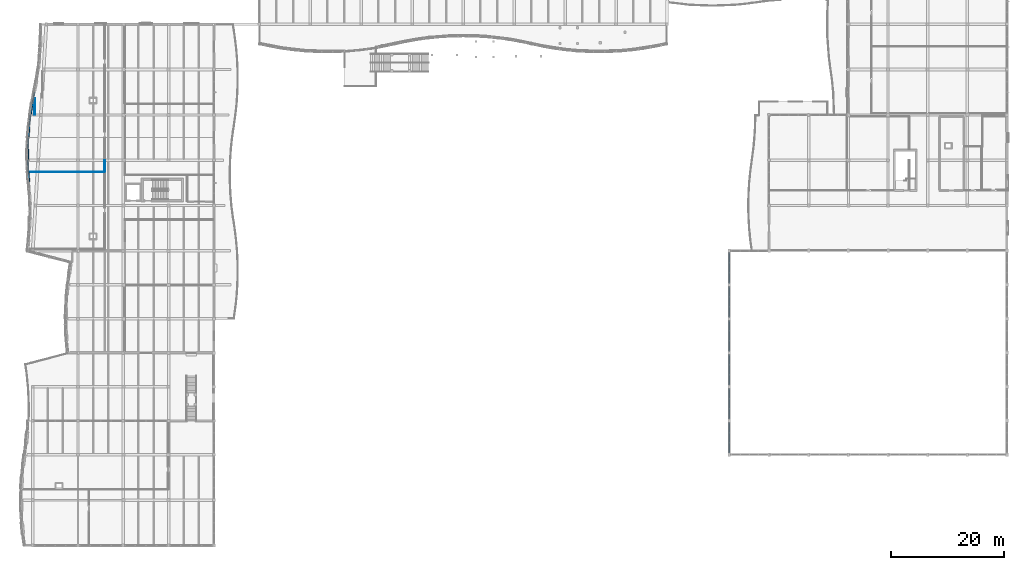
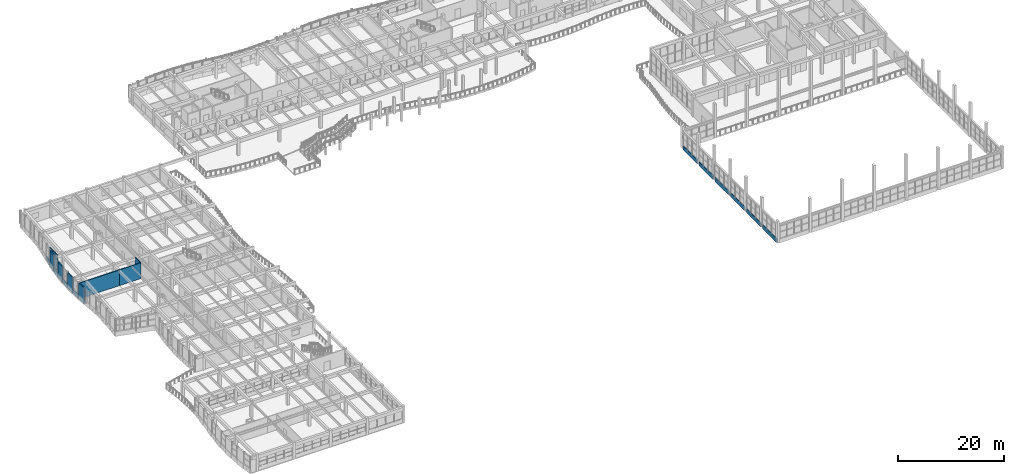
# One storey, part 58 of 89: 18 walls.
"""IFC4 building model written with IfcOpenShell, lengths in metres."""

from ifc_helpers import new_model, si_unit, direction, frame, frame_2d, origin, place, context, subcontext, project, spatial, rectangle, extrude, material, layer, layer_set, type_object, element, save


model = new_model("IFC4")

# Units and contexts
model_context = context("Model", 3, precision=1e-05, world=origin(), true_north=direction((0.0, 1.0)))
body_context = subcontext(model_context, "Body", "Model", "MODEL_VIEW")
ifc_project = project(units=[si_unit("LENGTHUNIT", "METRE"), si_unit("AREAUNIT", "SQUARE_METRE"), si_unit("VOLUMEUNIT", "CUBIC_METRE"), si_unit("PLANEANGLEUNIT", "RADIAN"), si_unit("MASSUNIT", "GRAM", prefix="KILO")], contexts=[model_context])

# Site, building, storey
site_placement = place(None, origin())
site = spatial("IfcSite", under=ifc_project, at=site_placement, CompositionType="ELEMENT")
building_placement = place(site_placement, origin())
building = spatial("IfcBuilding", under=site, at=building_placement, Name="Tonlespit Floodbar School", CompositionType="ELEMENT")
storey_placement = place(building_placement, frame((0.0, 0.0, 4.5)))
storey = spatial("IfcBuildingStorey", under=building, at=storey_placement, Name="L01", CompositionType="ELEMENT", Elevation=4.5)

# Walls
ifc_material_1 = material(Name="Precast concrete C40/50", Category="concrete")
ifc_layer_1 = layer(ifc_material_1, 0.260009765625)
ifc_layer_set_1 = layer_set([ifc_layer_1], Name="Precast concrete C40/50")
wall_type_1 = type_object("IfcWallType", Name="ExtWall_Rainscreen_260", PredefinedType="SOLIDWALL", material=ifc_layer_set_1)
wall_1_placement = place(storey_placement, frame((3.3701171875, 68.0, 0.0), z_axis=(0.0, 0.0, 1.0), x_axis=(-0.075709813676, 0.9971298933, 0.0)))
element("IfcWall", 1, at=wall_1_placement, inside=storey, type_object=wall_type_1, Name="L01 external wall 0350", PredefinedType="SOLIDWALL", context=body_context, shape_type="SweptSolid", body=[
    extrude(rectangle(XDim=2.005859375, YDim=0.260009765625, at=frame_2d((1.0029296875, 0.0))), origin(), (0.0, 0.0, 1.0), 3.64990234375),
])
wall_2_placement = place(storey_placement, frame((3.14501953125, 72.0, 0.0), z_axis=(0.0, 0.0, 1.0), x_axis=(0.002197260321, 0.999997586021, 0.0)))
element("IfcWall", 2, at=wall_2_placement, inside=storey, type_object=wall_type_1, Name="L01 external wall 0352", PredefinedType="SOLIDWALL", context=body_context, shape_type="SweptSolid", body=[
    extrude(rectangle(XDim=2.0, YDim=0.260009765625, at=frame_2d((1.0, 0.0))), origin(), (0.0, 0.0, 1.0), 3.64990234375),
])
wall_3_placement = place(storey_placement, frame((3.23095703125, 76.0, 0.0), z_axis=(0.0, 0.0, 1.0), x_axis=(0.078976178075, 0.996876503533, 0.0)))
element("IfcWall", 3, at=wall_3_placement, inside=storey, type_object=wall_type_1, Name="L01 external wall 0354", PredefinedType="SOLIDWALL", context=body_context, shape_type="SweptSolid", body=[
    extrude(rectangle(XDim=2.00634765625, YDim=0.260009765625, at=frame_2d((1.003173828125, 0.0))), origin(), (0.0, 0.0, 1.0), 3.64990234375),
])
wall_4_placement = place(storey_placement, frame((3.625, 80.0, 0.0), z_axis=(0.0, 0.0, 1.0), x_axis=(0.15473004848, 0.987956786554, 0.0)))
element("IfcWall", 4, at=wall_4_placement, inside=storey, type_object=wall_type_1, Name="L01 external wall 0356", PredefinedType="SOLIDWALL", context=body_context, shape_type="SweptSolid", body=[
    extrude(rectangle(XDim=2.0244140625, YDim=0.260009765625, at=frame_2d((1.01220703125, 0.0))), origin(), (0.0, 0.0, 1.0), 3.64990234375),
])
ifc_material_2 = material(Name="White Architectural Precast concrete C40/50", Category="concrete")
ifc_layer_2 = layer(ifc_material_2, 0.18505859375)
ifc_layer_set_2 = layer_set([ifc_layer_2], Name="White Architectural Precast concrete C40/50")
wall_type_2 = type_object("IfcWallType", Name="ExtWall_Spandrel_White_185", PredefinedType="SOLIDWALL", material=ifc_layer_set_2)
for number, where, z_axis, x_axis, name in (
    (5, (127.0, 20.324951171875, -0.260009765625), (0.0, 0.0, 1.0), (0.0, 1.0, 0.0), "L01 spandrel wall 0469"),
    (6, (127.0, 26.324951171875, -0.260009765625), (0.0, 0.0, 1.0), (0.0, 1.0, 0.0), "L01 spandrel wall 0471"),
    (7, (127.0, 32.324951171875, -0.260009765625), (0.0, 0.0, 1.0), (0.0, 1.0, 0.0), "L01 spandrel wall 0473"),
    (8, (127.0, 38.324951171875, -0.260009765625), (0.0, 0.0, 1.0), (0.0, 1.0, 0.0), "L01 spandrel wall 0475"),
    (9, (127.0, 44.324951171875, -0.260009765625), (0.0, 0.0, 1.0), (0.0, 1.0, 0.0), "L01 spandrel wall 0477"),
    (10, (127.0, 50.324951171875, -0.260009765625), (0.0, 0.0, 1.0), (0.0, 1.0, 0.0), "L01 spandrel wall 0479"),
):
    element("IfcWall", number, at=place(storey_placement, frame(where, z_axis=z_axis, x_axis=x_axis)), inside=storey, type_object=wall_type_2, Name=name, PredefinedType="SOLIDWALL", context=body_context, shape_type="SweptSolid", body=[
        extrude(rectangle(XDim=5.35009765625, YDim=0.18505859375, at=frame_2d((2.675048828125, 0.0))), origin(), (0.0, 0.0, 1.0), 0.949951171875),
    ])
ifc_layer_3 = layer(ifc_material_2, 0.199951171875)
ifc_layer_set_3 = layer_set([ifc_layer_3], Name="White Architectural Precast concrete C40/50")
wall_type_3 = type_object("IfcWallType", Name="ExtWall_Spandrel_White_200", PredefinedType="SOLIDWALL", material=ifc_layer_set_3)
wall_5_placement = place(storey_placement, frame((3.21826171875, 70.0, 0.0), z_axis=(0.0, 0.0, 1.0), x_axis=(-0.036596562065, 0.999330121454, 0.0)))
element("IfcWall", 11, at=wall_5_placement, inside=storey, type_object=wall_type_3, Name="L01 spandrel wall 0351", PredefinedType="SOLIDWALL", context=body_context, shape_type="SweptSolid", body=[
    extrude(rectangle(XDim=2.001220703125, YDim=0.199951171875, at=frame_2d((1.00048828125, 0.0))), origin(), (0.0, 0.0, 1.0), 0.949951171875),
])
wall_6_placement = place(storey_placement, frame((3.1494140625, 74.0, 0.0), z_axis=(0.0, 0.0, 1.0), x_axis=(0.040737639062, 0.99916987783, 0.0)))
element("IfcWall", 12, at=wall_6_placement, inside=storey, type_object=wall_type_3, Name="L01 spandrel wall 0353", PredefinedType="SOLIDWALL", context=body_context, shape_type="SweptSolid", body=[
    extrude(rectangle(XDim=2.001708984375, YDim=0.199951171875, at=frame_2d((1.0009765625, 0.0))), origin(), (0.0, 0.0, 1.0), 0.949951171875),
])
wall_7_placement = place(storey_placement, frame((3.389404296875, 78.0, 0.0), z_axis=(0.0, 0.0, 1.0), x_axis=(0.116988959085, 0.99313321536, 0.0)))
element("IfcWall", 13, at=wall_7_placement, inside=storey, type_object=wall_type_3, Name="L01 spandrel wall 0355", PredefinedType="SOLIDWALL", context=body_context, shape_type="SweptSolid", body=[
    extrude(rectangle(XDim=2.013916015625, YDim=0.199951171875, at=frame_2d((1.0068359375, 0.0))), origin(), (0.0, 0.0, 1.0), 0.949951171875),
])
wall_8_placement = place(storey_placement, frame((3.938232421875, 82.0, 0.0), z_axis=(0.0, 0.0, 1.0), x_axis=(0.192267434085, 0.981342566992, 0.0)))
element("IfcWall", 14, at=wall_8_placement, inside=storey, type_object=wall_type_3, Name="L01 spandrel wall 0357", PredefinedType="SOLIDWALL", context=body_context, shape_type="SweptSolid", body=[
    extrude(rectangle(XDim=2.0380859375, YDim=0.199951171875, at=frame_2d((1.01904296875, 0.0))), origin(), (0.0, 0.0, 1.0), 0.949951171875),
])
ifc_material_3 = material(Name="Gypsum Plasterboard Partition")
ifc_layer_4 = layer(ifc_material_3, 0.159912109375)
ifc_layer_set_4 = layer_set([ifc_layer_4], Name="Gypsum Plasterboard Partition")
wall_type_4 = type_object("IfcWallType", Name="FireWall_Lab_160", PredefinedType="PARTITIONING", material=ifc_layer_set_4)
wall_9_placement = place(storey_placement, frame((3.3955078125, 69.929931640625, 0.0), z_axis=(0.0, 0.0, 1.0), x_axis=(1.0, 0.0, 0.0)))
element("IfcWall", 15, at=wall_9_placement, inside=storey, type_object=wall_type_4, Name="L01 partition wall 0186", PredefinedType="PARTITIONING", context=body_context, shape_type="SweptSolid", body=[
    extrude(rectangle(XDim=8.6044921875, YDim=0.159912109375, at=frame_2d((4.30224609375, 0.0))), origin(), (0.0, 0.0, 1.0), 3.64990234375),
])
wall_10_placement = place(storey_placement, frame((12.0, 69.929931640625, 0.0), z_axis=(0.0, 0.0, 1.0), x_axis=(1.0, 0.0, 0.0)))
element("IfcWall", 16, at=wall_10_placement, inside=storey, type_object=wall_type_4, Name="L01 partition wall 0187", PredefinedType="PARTITIONING", context=body_context, shape_type="SweptSolid", body=[
    extrude(rectangle(XDim=4.72998046875, YDim=0.159912109375, at=frame_2d((2.364990234375, 0.0))), origin(), (0.0, 0.0, 1.0), 3.64990234375),
])
wall_11_placement = place(storey_placement, frame((4.333984375, 80.0, 0.0), z_axis=(0.0, 0.0, 1.0), x_axis=(0.0, 1.0, 0.0)))
element("IfcWall", 17, at=wall_11_placement, inside=storey, type_object=wall_type_4, Name="L01 partition wall 0190", PredefinedType="PARTITIONING", context=body_context, shape_type="SweptSolid", body=[
    extrude(rectangle(XDim=2.929931640625, YDim=0.159912109375, at=frame_2d((1.46484375, 0.0))), origin(), (0.0, 0.0, 1.0), 3.64990234375),
])
wall_12_placement = place(storey_placement, frame((16.72998046875, 70.070068359375, 0.0), z_axis=(0.0, 0.0, 1.0), x_axis=(0.0, 1.0, 0.0)))
element("IfcWall", 18, at=wall_12_placement, inside=storey, type_object=wall_type_4, Name="L01 partition wall 0191", PredefinedType="PARTITIONING", context=body_context, shape_type="SweptSolid", body=[
    extrude(rectangle(XDim=1.929931640625, YDim=0.159912109375, at=frame_2d((0.96484375, 0.0))), origin(), (0.0, 0.0, 1.0), 3.64990234375),
])

save(model, "model.ifc")
